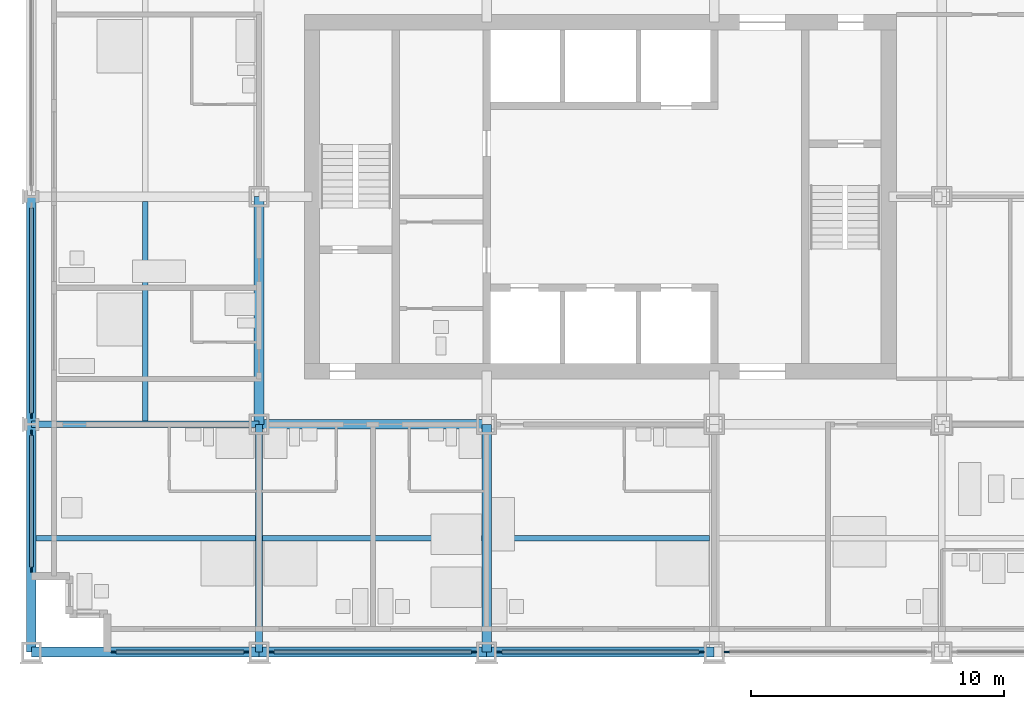
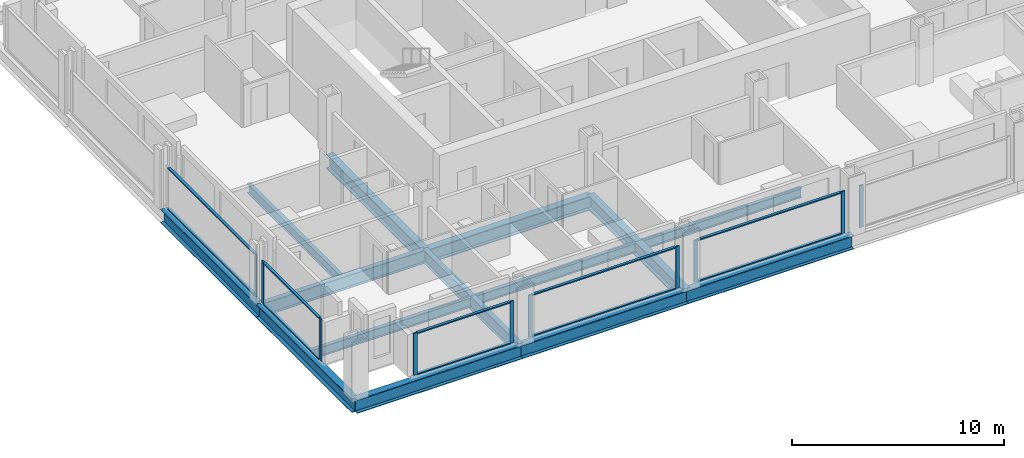
# One storey, part 2 of 18: 20 members, 14 beams, 6 elements without a shape of their own.
"""IFC4 building model written with IfcOpenShell, lengths in metres."""

from ifc_helpers import new_model, si_unit, direction, frame, origin, origin_2d, place, context, subcontext, project, spatial, rectangle, i_section, extrude, material, material_profile, profile_set, type_object, element, aggregate, save


model = new_model("IFC4")

# Units and contexts
model_context = context("Model", 3, precision=1e-05, world=origin(), true_north=direction((0.0, 1.0)))
body_context = subcontext(model_context, "Body", "Model", "MODEL_VIEW")
ifc_project = project(units=[si_unit("LENGTHUNIT", "METRE"), si_unit("AREAUNIT", "SQUARE_METRE"), si_unit("VOLUMEUNIT", "CUBIC_METRE"), si_unit("PLANEANGLEUNIT", "RADIAN"), si_unit("MASSUNIT", "GRAM", prefix="KILO")], contexts=[model_context])

# Site, building, storey
site_placement = place(None, origin())
site = spatial("IfcSite", under=ifc_project, at=site_placement, CompositionType="ELEMENT")
building_placement = place(site_placement, origin())
building = spatial("IfcBuilding", under=site, at=building_placement, Name="Loomwork Tower", CompositionType="ELEMENT")
storey_placement = place(building_placement, frame((0.0, 0.0, 31.39990234375)))
storey = spatial("IfcBuildingStorey", under=building, at=storey_placement, Name="L06", CompositionType="ELEMENT", Elevation=31.39990234375)

# Beams
ifc_material_1 = material(Name="Steel ASTM A992", Category="steel")
ifc_material_profile_1 = material_profile(ifc_material_1, i_section(OverallWidth=0.383544921875, OverallDepth=0.794921875, WebThickness=0.02099609375, FlangeThickness=0.0380859375, at=origin_2d()), Name="W30x235")
ifc_profile_set_1 = profile_set([ifc_material_profile_1], Name="Steel ASTM A992")
beam_type_1 = type_object("IfcBeamType", Name="CORE FLANK GIRDER W30x235", PredefinedType="BEAM", material=ifc_profile_set_1)
for number, where, z_axis, x_axis, name in (
    (1, (9.0, 9.0, -0.597412109375), (1.0, 0.0, 0.0), (0.0, 1.0, 0.0), "Core Flank Girder E/3-E/4 L06"),
    (2, (9.0, 9.0, -0.597412109375), (0.0, 1.0, 0.0), (-1.0, 0.0, 0.0), "Core Flank Girder E/3-F/3 L06"),
    (3, (18.0, 0.0, -0.597412109375), (0.0, 1.0, 0.0), (-1.0, 0.0, 0.0), "Core Flank Girder D/4-E/4 L06"),
):
    element("IfcBeam", number, at=place(storey_placement, frame(where, z_axis=z_axis, x_axis=x_axis)), inside=storey, type_object=beam_type_1, Name=name, PredefinedType="BEAM", context=body_context, shape_type="SweptSolid", body=[
        extrude(i_section(OverallWidth=0.383544921875, OverallDepth=0.794921875, WebThickness=0.02099609375, FlangeThickness=0.0380859375, at=origin_2d()), origin(), (0.0, 0.0, 1.0), 9.0),
    ])
ifc_material_2 = material(Name="Steel ASTM A992", Category="steel")
ifc_material_profile_2 = material_profile(ifc_material_2, i_section(OverallWidth=0.2666015625, OverallDepth=0.761962890625, WebThickness=0.014404296875, FlangeThickness=0.021484375, at=origin_2d()), Name="W30x116")
ifc_profile_set_2 = profile_set([ifc_material_profile_2], Name="Steel ASTM A992")
beam_type_2 = type_object("IfcBeamType", Name="FLOOR GIRDER W30x116", PredefinedType="BEAM", material=ifc_profile_set_2)
for number, where, z_axis, x_axis, name in (
    (4, (0.0, 9.0, -0.580810546875), (1.0, 0.0, 0.0), (0.0, 1.0, 0.0), "Floor Girder E/2-E/3 L06"),
    (5, (9.0, 0.0, -0.580810546875), (0.0, 1.0, 0.0), (-1.0, 0.0, 0.0), "Floor Girder D/3-E/3 L06"),
):
    element("IfcBeam", number, at=place(storey_placement, frame(where, z_axis=z_axis, x_axis=x_axis)), inside=storey, type_object=beam_type_2, Name=name, PredefinedType="BEAM", context=body_context, shape_type="SweptSolid", body=[
        extrude(i_section(OverallWidth=0.2666015625, OverallDepth=0.761962890625, WebThickness=0.014404296875, FlangeThickness=0.021484375, at=origin_2d()), origin(), (0.0, 0.0, 1.0), 9.0),
    ])
ifc_material_3 = material(Name="Steel ASTM A992", Category="steel")
ifc_material_profile_3 = material_profile(ifc_material_3, i_section(OverallWidth=0.2109375, OverallDepth=0.53857421875, WebThickness=0.011474609375, FlangeThickness=0.018798828125, at=origin_2d()), Name="W21x73")
ifc_profile_set_3 = profile_set([ifc_material_profile_3], Name="Steel ASTM A992")
beam_type_3 = type_object("IfcBeamType", Name="FLOOR JOIST W21x73", PredefinedType="JOIST", material=ifc_profile_set_3)
beam_1_placement = place(storey_placement, frame((0.18994140625, 4.5, -0.46923828125), z_axis=(1.0, 0.0, 0.0), x_axis=(0.0, 1.0, 0.0)))
element("IfcBeam", 6, at=beam_1_placement, inside=storey, type_object=beam_type_3, Name="Floor Joist 0.000,4.500-9.000,4.500 L06", PredefinedType="JOIST", context=body_context, shape_type="SweptSolid", body=[
    extrude(i_section(OverallWidth=0.2109375, OverallDepth=0.53857421875, WebThickness=0.011474609375, FlangeThickness=0.018798828125, at=origin_2d()), origin(), (0.0, 0.0, 1.0), 8.677001953125),
])
for number, where, z_axis, x_axis, name in (
    (7, (4.5, 9.133056640625, -0.46923828125), (0.0, 1.0, 0.0), (-1.0, 0.0, 0.0), "Floor Joist 4.500,9.000-4.500,18.000 L06"),
    (8, (9.133056640625, 4.5, -0.46923828125), (1.0, 0.0, 0.0), (0.0, 1.0, 0.0), "Floor Joist 9.000,4.500-18.000,4.500 L06"),
):
    element("IfcBeam", number, at=place(storey_placement, frame(where, z_axis=z_axis, x_axis=x_axis)), inside=storey, type_object=beam_type_3, Name=name, PredefinedType="JOIST", context=body_context, shape_type="SweptSolid", body=[
        extrude(i_section(OverallWidth=0.2109375, OverallDepth=0.53857421875, WebThickness=0.011474609375, FlangeThickness=0.018798828125, at=origin_2d()), origin(), (0.0, 0.0, 1.0), 8.676025390625),
    ])
beam_2_placement = place(storey_placement, frame((18.19091796875, 4.5, -0.46923828125), z_axis=(1.0, 0.0, 0.0), x_axis=(0.0, 1.0, 0.0)))
element("IfcBeam", 9, at=beam_2_placement, inside=storey, type_object=beam_type_3, Name="Floor Joist 18.000,4.500-27.000,4.500 L06", PredefinedType="JOIST", context=body_context, shape_type="SweptSolid", body=[
    extrude(i_section(OverallWidth=0.2109375, OverallDepth=0.53857421875, WebThickness=0.011474609375, FlangeThickness=0.018798828125, at=origin_2d()), origin(), (0.0, 0.0, 1.0), 8.6181640625),
])

# Curtain wall, members
ifc_material_4 = material(Name="Aluminium curtain wall frame", Category="aluminium")
curtain_wall_type = type_object("IfcCurtainWallType", Name="Outer skin glazing hotel", PredefinedType="NOTDEFINED", material=ifc_material_4)
curtain_wall_1_placement = place(storey_placement, origin())
curtain_wall_1 = element("IfcCurtainWall", 10, at=curtain_wall_1_placement, inside=storey, type_object=curtain_wall_type, Name="Outer skin glazing hotel cw/S-0", PredefinedType="NOTDEFINED")
ifc_material_5 = material(Name="Aluminium curtain wall frame", Category="aluminium")
ifc_material_profile_4 = material_profile(ifc_material_5, rectangle(XDim=0.06494140625, YDim=0.199951171875, at=origin_2d()), Name="AL 65x200")
ifc_profile_set_4 = profile_set([ifc_material_profile_4], Name="Aluminium curtain wall frame")
member_type_1 = type_object("IfcMemberType", Name="Outer skin glazing hotel mullion", PredefinedType="MULLION", material=ifc_profile_set_4)
member_1_placement = place(storey_placement, frame((3.25, 0.0, 0.0), z_axis=(0.0, 0.0, 1.0), x_axis=(0.0, 1.0, 0.0)))
member_1 = element("IfcMember", 11, at=member_1_placement, type_object=member_type_1, Name="CW1 mullion 1", PredefinedType="MULLION", context=body_context, shape_type="SweptSolid", body=[
    extrude(rectangle(XDim=0.06494140625, YDim=0.199951171875, at=origin_2d()), origin(), (0.0, 0.0, 1.0), 2.42041015625),
])
member_2_placement = place(storey_placement, frame((8.5, 0.0, 0.0), z_axis=(0.0, 0.0, 1.0), x_axis=(0.0, 1.0, 0.0)))
member_2 = element("IfcMember", 12, at=member_2_placement, type_object=member_type_1, Name="CW1 mullion 2", PredefinedType="MULLION", context=body_context, shape_type="SweptSolid", body=[
    extrude(rectangle(XDim=0.06494140625, YDim=0.199951171875, at=origin_2d()), origin(), (0.0, 0.0, 1.0), 2.42041015625),
])

curtain_wall_2_placement = place(storey_placement, origin())
curtain_wall_2 = element("IfcCurtainWall", 13, at=curtain_wall_2_placement, inside=storey, type_object=curtain_wall_type, Name="Outer skin glazing hotel cw/S-9", PredefinedType="NOTDEFINED")
member_3_placement = place(storey_placement, frame((9.5, 0.0, 0.0), z_axis=(0.0, 0.0, 1.0), x_axis=(0.0, 1.0, 0.0)))
member_3 = element("IfcMember", 14, at=member_3_placement, type_object=member_type_1, Name="CW1 mullion 1", PredefinedType="MULLION", context=body_context, shape_type="SweptSolid", body=[
    extrude(rectangle(XDim=0.06494140625, YDim=0.199951171875, at=origin_2d()), origin(), (0.0, 0.0, 1.0), 2.42041015625),
])
member_4_placement = place(storey_placement, frame((17.5, 0.0, 0.0), z_axis=(0.0, 0.0, 1.0), x_axis=(0.0, 1.0, 0.0)))
member_4 = element("IfcMember", 15, at=member_4_placement, type_object=member_type_1, Name="CW1 mullion 2", PredefinedType="MULLION", context=body_context, shape_type="SweptSolid", body=[
    extrude(rectangle(XDim=0.06494140625, YDim=0.199951171875, at=origin_2d()), origin(), (0.0, 0.0, 1.0), 2.42041015625),
])

curtain_wall_3_placement = place(storey_placement, origin())
curtain_wall_3 = element("IfcCurtainWall", 16, at=curtain_wall_3_placement, inside=storey, type_object=curtain_wall_type, Name="Outer skin glazing hotel cw/S-18", PredefinedType="NOTDEFINED")
member_5_placement = place(storey_placement, frame((18.5, 0.0, 0.0), z_axis=(0.0, 0.0, 1.0), x_axis=(0.0, 1.0, 0.0)))
member_5 = element("IfcMember", 17, at=member_5_placement, type_object=member_type_1, Name="CW1 mullion 1", PredefinedType="MULLION", context=body_context, shape_type="SweptSolid", body=[
    extrude(rectangle(XDim=0.06494140625, YDim=0.199951171875, at=origin_2d()), origin(), (0.0, 0.0, 1.0), 2.42041015625),
])
member_6_placement = place(storey_placement, frame((26.5, 0.0, 0.0), z_axis=(0.0, 0.0, 1.0), x_axis=(0.0, 1.0, 0.0)))
member_6 = element("IfcMember", 18, at=member_6_placement, type_object=member_type_1, Name="CW1 mullion 2", PredefinedType="MULLION", context=body_context, shape_type="SweptSolid", body=[
    extrude(rectangle(XDim=0.06494140625, YDim=0.199951171875, at=origin_2d()), origin(), (0.0, 0.0, 1.0), 2.42041015625),
])

# Curtain wall, member
curtain_wall_4_placement = place(storey_placement, origin())
curtain_wall_4 = element("IfcCurtainWall", 19, at=curtain_wall_4_placement, inside=storey, type_object=curtain_wall_type, Name="Outer skin glazing hotel cw/S-27", PredefinedType="NOTDEFINED")
member_7_placement = place(storey_placement, frame((27.5, 0.0, 0.0), z_axis=(0.0, 0.0, 1.0), x_axis=(0.0, 1.0, 0.0)))
member_7 = element("IfcMember", 20, at=member_7_placement, type_object=member_type_1, Name="CW1 mullion 1", PredefinedType="MULLION", context=body_context, shape_type="SweptSolid", body=[
    extrude(rectangle(XDim=0.06494140625, YDim=0.199951171875, at=origin_2d()), origin(), (0.0, 0.0, 1.0), 2.42041015625),
])
aggregate(curtain_wall_4, [member_7])

# Curtain wall, members
curtain_wall_5_placement = place(storey_placement, origin())
curtain_wall_5 = element("IfcCurtainWall", 21, at=curtain_wall_5_placement, inside=storey, type_object=curtain_wall_type, Name="Outer skin glazing hotel cw/W-0", PredefinedType="NOTDEFINED")
member_8_placement = place(storey_placement, frame((0.0, 8.6611328125, 0.0), z_axis=(0.0, 0.0, 1.0), x_axis=(1.0, 0.0, 0.0)))
member_8 = element("IfcMember", 22, at=member_8_placement, type_object=member_type_1, Name="CW1 mullion 1", PredefinedType="MULLION", context=body_context, shape_type="SweptSolid", body=[
    extrude(rectangle(XDim=0.06494140625, YDim=0.199951171875, at=origin_2d()), origin(), (0.0, 0.0, 1.0), 2.42041015625),
])
member_9_placement = place(storey_placement, frame((0.0, 3.25, 0.0), z_axis=(0.0, 0.0, 1.0), x_axis=(1.0, 0.0, 0.0)))
member_9 = element("IfcMember", 23, at=member_9_placement, type_object=member_type_1, Name="CW1 mullion 2", PredefinedType="MULLION", context=body_context, shape_type="SweptSolid", body=[
    extrude(rectangle(XDim=0.06494140625, YDim=0.199951171875, at=origin_2d()), origin(), (0.0, 0.0, 1.0), 2.42041015625),
])

# Curtain wall, member
curtain_wall_6_placement = place(storey_placement, origin())
curtain_wall_6 = element("IfcCurtainWall", 24, at=curtain_wall_6_placement, inside=storey, type_object=curtain_wall_type, Name="Outer skin glazing hotel cw/W-9", PredefinedType="NOTDEFINED")
member_10_placement = place(storey_placement, frame((0.0, 9.3388671875, 0.0), z_axis=(0.0, 0.0, 1.0), x_axis=(1.0, 0.0, 0.0)))
member_10 = element("IfcMember", 25, at=member_10_placement, type_object=member_type_1, Name="CW1 mullion 2", PredefinedType="MULLION", context=body_context, shape_type="SweptSolid", body=[
    extrude(rectangle(XDim=0.06494140625, YDim=0.199951171875, at=origin_2d()), origin(), (0.0, 0.0, 1.0), 2.42041015625),
])

# Member
ifc_material_6 = material(Name="Aluminium curtain wall frame", Category="aluminium")
ifc_material_profile_5 = material_profile(ifc_material_6, rectangle(XDim=0.14990234375, YDim=0.06494140625, at=origin_2d()), Name="AL 65x150")
ifc_profile_set_5 = profile_set([ifc_material_profile_5], Name="Aluminium curtain wall frame")
member_type_2 = type_object("IfcMemberType", Name="Outer skin glazing hotel transom", PredefinedType="USERDEFINED", material=ifc_profile_set_5)
member_11_placement = place(storey_placement, frame((3.35009765625, 0.0, 0.03271484375), z_axis=(1.0, 0.0, 0.0), x_axis=(0.0, 1.0, 0.0)))
member_11 = element("IfcMember", 26, at=member_11_placement, type_object=member_type_2, Name="CW1 transom 1.1", ObjectType="TRANSOM", PredefinedType="USERDEFINED", context=body_context, shape_type="SweptSolid", body=[
    extrude(rectangle(XDim=0.14990234375, YDim=0.06494140625, at=origin_2d()), origin(), (0.0, 0.0, 1.0), 5.0498046875),
])

member_12_placement = place(storey_placement, frame((3.35009765625, 0.0, 2.3876953125), z_axis=(1.0, 0.0, 0.0), x_axis=(0.0, 1.0, 0.0)))
member_12 = element("IfcMember", 27, at=member_12_placement, type_object=member_type_2, Name="CW1 transom 1.2", ObjectType="TRANSOM", PredefinedType="USERDEFINED", context=body_context, shape_type="SweptSolid", body=[
    extrude(rectangle(XDim=0.14990234375, YDim=0.06494140625, at=origin_2d()), origin(), (0.0, 0.0, 1.0), 5.0498046875),
])

aggregate(curtain_wall_1, [member_1, member_2, member_11, member_12])

member_13_placement = place(storey_placement, frame((9.60009765625, 0.0, 0.03271484375), z_axis=(1.0, 0.0, 0.0), x_axis=(0.0, 1.0, 0.0)))
member_13 = element("IfcMember", 28, at=member_13_placement, type_object=member_type_2, Name="CW1 transom 1.1", ObjectType="TRANSOM", PredefinedType="USERDEFINED", context=body_context, shape_type="SweptSolid", body=[
    extrude(rectangle(XDim=0.14990234375, YDim=0.06494140625, at=origin_2d()), origin(), (0.0, 0.0, 1.0), 7.7998046875),
])

member_14_placement = place(storey_placement, frame((9.60009765625, 0.0, 2.3876953125), z_axis=(1.0, 0.0, 0.0), x_axis=(0.0, 1.0, 0.0)))
member_14 = element("IfcMember", 29, at=member_14_placement, type_object=member_type_2, Name="CW1 transom 1.2", ObjectType="TRANSOM", PredefinedType="USERDEFINED", context=body_context, shape_type="SweptSolid", body=[
    extrude(rectangle(XDim=0.14990234375, YDim=0.06494140625, at=origin_2d()), origin(), (0.0, 0.0, 1.0), 7.7998046875),
])

aggregate(curtain_wall_2, [member_3, member_4, member_13, member_14])

member_15_placement = place(storey_placement, frame((18.60009765625, 0.0, 0.03271484375), z_axis=(1.0, 0.0, 0.0), x_axis=(0.0, 1.0, 0.0)))
member_15 = element("IfcMember", 30, at=member_15_placement, type_object=member_type_2, Name="CW1 transom 1.1", ObjectType="TRANSOM", PredefinedType="USERDEFINED", context=body_context, shape_type="SweptSolid", body=[
    extrude(rectangle(XDim=0.14990234375, YDim=0.06494140625, at=origin_2d()), origin(), (0.0, 0.0, 1.0), 7.7998046875),
])

member_16_placement = place(storey_placement, frame((18.60009765625, 0.0, 2.3876953125), z_axis=(1.0, 0.0, 0.0), x_axis=(0.0, 1.0, 0.0)))
member_16 = element("IfcMember", 31, at=member_16_placement, type_object=member_type_2, Name="CW1 transom 1.2", ObjectType="TRANSOM", PredefinedType="USERDEFINED", context=body_context, shape_type="SweptSolid", body=[
    extrude(rectangle(XDim=0.14990234375, YDim=0.06494140625, at=origin_2d()), origin(), (0.0, 0.0, 1.0), 7.7998046875),
])

aggregate(curtain_wall_3, [member_5, member_6, member_15, member_16])

member_17_placement = place(storey_placement, frame((0.0, 8.561279296875, 0.03271484375), z_axis=(0.0, -1.0, 0.0), x_axis=(1.0, 0.0, 0.0)))
member_17 = element("IfcMember", 32, at=member_17_placement, type_object=member_type_2, Name="CW1 transom 1.1", ObjectType="TRANSOM", PredefinedType="USERDEFINED", context=body_context, shape_type="SweptSolid", body=[
    extrude(rectangle(XDim=0.14990234375, YDim=0.06494140625, at=origin_2d()), origin(), (0.0, 0.0, 1.0), 5.211181640625),
])

member_18_placement = place(storey_placement, frame((0.0, 8.561279296875, 2.3876953125), z_axis=(0.0, -1.0, 0.0), x_axis=(1.0, 0.0, 0.0)))
member_18 = element("IfcMember", 33, at=member_18_placement, type_object=member_type_2, Name="CW1 transom 1.2", ObjectType="TRANSOM", PredefinedType="USERDEFINED", context=body_context, shape_type="SweptSolid", body=[
    extrude(rectangle(XDim=0.14990234375, YDim=0.06494140625, at=origin_2d()), origin(), (0.0, 0.0, 1.0), 5.211181640625),
])

aggregate(curtain_wall_5, [member_8, member_9, member_17, member_18])

member_19_placement = place(storey_placement, frame((0.0, 17.561279296875, 0.03271484375), z_axis=(0.0, -1.0, 0.0), x_axis=(1.0, 0.0, 0.0)))
member_19 = element("IfcMember", 34, at=member_19_placement, type_object=member_type_2, Name="CW1 transom 1.1", ObjectType="TRANSOM", PredefinedType="USERDEFINED", context=body_context, shape_type="SweptSolid", body=[
    extrude(rectangle(XDim=0.14990234375, YDim=0.06494140625, at=origin_2d()), origin(), (0.0, 0.0, 1.0), 8.12255859375),
])

member_20_placement = place(storey_placement, frame((0.0, 17.561279296875, 2.3876953125), z_axis=(0.0, -1.0, 0.0), x_axis=(1.0, 0.0, 0.0)))
member_20 = element("IfcMember", 35, at=member_20_placement, type_object=member_type_2, Name="CW1 transom 1.2", ObjectType="TRANSOM", PredefinedType="USERDEFINED", context=body_context, shape_type="SweptSolid", body=[
    extrude(rectangle(XDim=0.14990234375, YDim=0.06494140625, at=origin_2d()), origin(), (0.0, 0.0, 1.0), 8.12255859375),
])

aggregate(curtain_wall_6, [member_10, member_19, member_20])

# Beams
ifc_material_7 = material(Name="Steel ASTM A992", Category="steel")
ifc_material_profile_6 = material_profile(ifc_material_7, i_section(OverallWidth=0.381103515625, OverallDepth=0.77978515625, WebThickness=0.01806640625, FlangeThickness=0.0302734375, at=origin_2d()), Name="W30x191")
ifc_profile_set_6 = profile_set([ifc_material_profile_6], Name="Steel ASTM A992")
beam_type_4 = type_object("IfcBeamType", Name="SPANDREL GIRDER W30x191", PredefinedType="SPANDREL", material=ifc_profile_set_6)
for number, where, z_axis, x_axis, name in (
    (36, (0.0, 0.0, -0.58984375), (1.0, 0.0, 0.0), (0.0, 1.0, 0.0), "Spandrel Girder D/2-D/3 L06"),
    (37, (9.0, 0.0, -0.58984375), (1.0, 0.0, 0.0), (0.0, 1.0, 0.0), "Spandrel Girder D/3-D/4 L06"),
    (38, (18.0, 0.0, -0.58984375), (1.0, 0.0, 0.0), (0.0, 1.0, 0.0), "Spandrel Girder D/4-D/5 L06"),
    (39, (0.0, 0.0, -0.58984375), (0.0, 1.0, 0.0), (-1.0, 0.0, 0.0), "Spandrel Girder D/2-E/2 L06"),
    (40, (0.0, 9.0, -0.58984375), (0.0, 1.0, 0.0), (-1.0, 0.0, 0.0), "Spandrel Girder E/2-F/2 L06"),
):
    element("IfcBeam", number, at=place(storey_placement, frame(where, z_axis=z_axis, x_axis=x_axis)), inside=storey, type_object=beam_type_4, Name=name, PredefinedType="SPANDREL", context=body_context, shape_type="SweptSolid", body=[
        extrude(i_section(OverallWidth=0.381103515625, OverallDepth=0.77978515625, WebThickness=0.01806640625, FlangeThickness=0.0302734375, at=origin_2d()), origin(), (0.0, 0.0, 1.0), 9.0),
    ])

save(model, "model.ifc")
